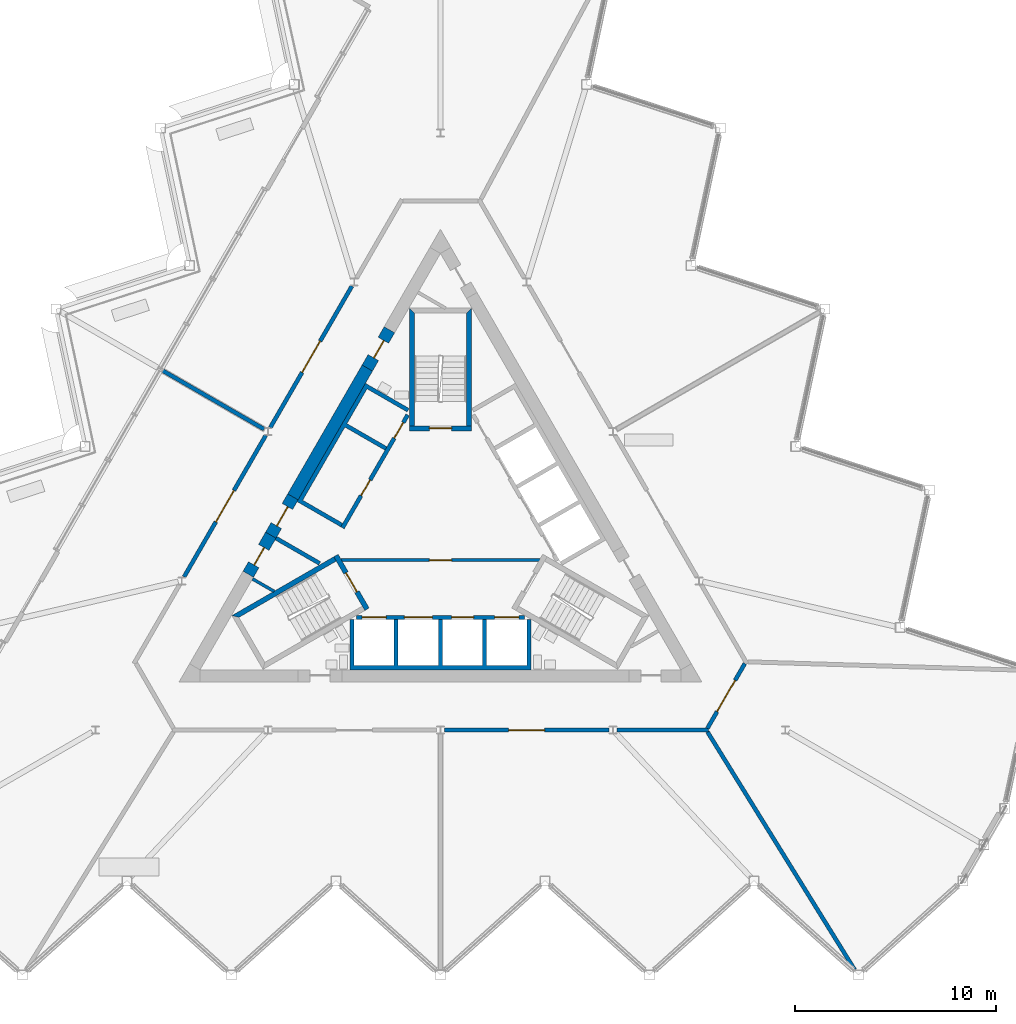
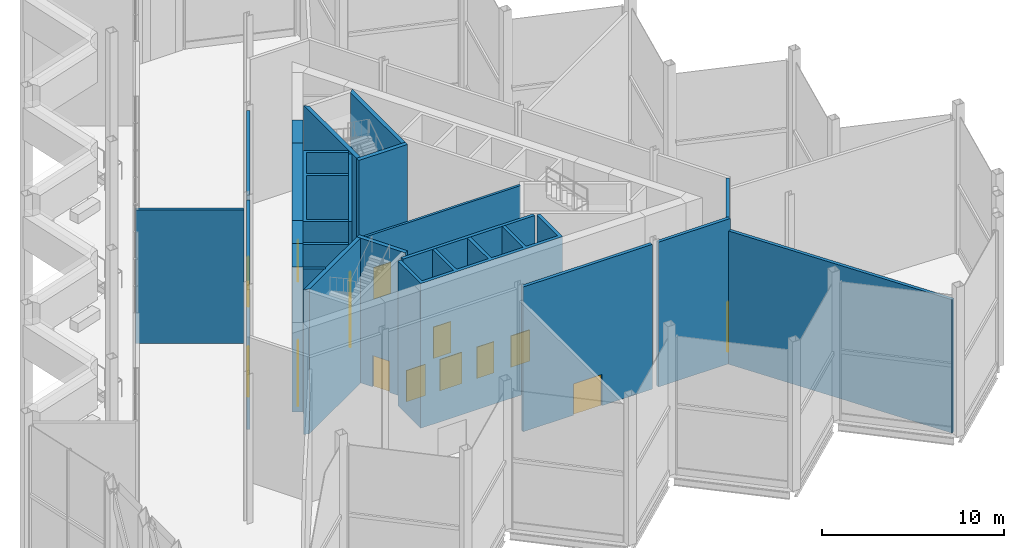
# One storey, part 9 of 18: 23 walls, 16 doors, 16 openings.
"""IFC4 building model written with IfcOpenShell, lengths in metres."""

from ifc_helpers import new_model, si_unit, direction, frame, frame_2d, origin, place, context, subcontext, project, spatial, polyline, rectangle, outline, extrude, material, layer, layer_set, type_object, element, fill, save


model = new_model("IFC4")

# Units and contexts
model_context = context("Model", 3, precision=1e-05, world=origin(), true_north=direction((0.0, 1.0)))
body_context = subcontext(model_context, "Body", "Model", "MODEL_VIEW")
ifc_project = project(units=[si_unit("LENGTHUNIT", "METRE"), si_unit("AREAUNIT", "SQUARE_METRE"), si_unit("VOLUMEUNIT", "CUBIC_METRE"), si_unit("PLANEANGLEUNIT", "RADIAN"), si_unit("MASSUNIT", "GRAM", prefix="KILO")], contexts=[model_context])

# Site, building, storey
site_placement = place(None, origin())
site = spatial("IfcSite", under=ifc_project, at=site_placement, CompositionType="ELEMENT")
building_placement = place(site_placement, origin())
building = spatial("IfcBuilding", under=site, at=building_placement, Name="Cormorant Prow Tower", CompositionType="ELEMENT")
storey_placement = place(building_placement, frame((0.0, 0.0, 405.199951171875)))
storey = spatial("IfcBuildingStorey", under=building, at=storey_placement, Name="L93", CompositionType="ELEMENT", Elevation=405.199951171875)

# Wall, opening, door
ifc_material_1 = material(Name="Gypsum board partition")
ifc_layer_1 = layer(ifc_material_1, 0.14990234375)
ifc_layer_set_1 = layer_set([ifc_layer_1], Name="Gypsum board partition")
wall_type_1 = type_object("IfcWallType", Name="Core partition 150", PredefinedType="PARTITIONING", material=ifc_layer_set_1)
wall_1_placement = place(storey_placement, frame((-4.941162109375, -1.449951171875, 0.0), z_axis=(0.0, 0.0, 1.0), x_axis=(1.0, 0.0, 0.0)))
wall_1 = element("IfcWall", 1, at=wall_1_placement, inside=storey, type_object=wall_type_1, Name="Firefighting lobby partition", PredefinedType="PARTITIONING", context=body_context, shape_type="SweptSolid", body=[
    extrude(rectangle(XDim=9.88232421875, YDim=0.14990234375, at=frame_2d((4.941162109375, 0.0))), origin(), (0.0, 0.0, 1.0), 9.699951171875),
])
opening_1_placement = place(wall_1_placement, frame((4.39111328125, 0.0, 0.0)))
opening_1 = element("IfcOpeningElement", 2, at=opening_1_placement, cuts=wall_1, Name="Opening L93-C11", PredefinedType="OPENING", context=body_context, shape_type="SweptSolid", body=[
    extrude(rectangle(XDim=1.10009765625, YDim=2.10009765625, at=frame_2d((0.550048828125, 1.050048828125))), frame((0.0, 0.0849609375, 0.0), z_axis=(0.0, -1.0, 0.0), x_axis=(1.0, 0.0, 0.0)), (0.0, 0.0, 1.0), 0.169921875),
])
ifc_material_2 = material(Name="Painted steel", Category="steel")
door_type_1 = type_object("IfcDoorType", Name="Firefighting lobby door 1100x2100", OperationType="NOTDEFINED", PredefinedType="DOOR", material=ifc_material_2)
door_1_placement = place(opening_1_placement, origin())
door_1 = element("IfcDoor", 3, at=door_1_placement, inside=storey, type_object=door_type_1, Name="Firefighting lobby door", OperationType="SINGLE_SWING_RIGHT", OverallHeight=2.10009765625, OverallWidth=1.10009765625, PredefinedType="DOOR", context=body_context, shape_type="SweptSolid", body=[
    extrude(rectangle(XDim=1.10009765625, YDim=2.10009765625, at=frame_2d((0.550048828125, 1.050048828125))), frame((0.0, 0.02490234375, 0.0), z_axis=(0.0, -1.0, 0.0), x_axis=(1.0, 0.0, 0.0)), (0.0, 0.0, 1.0), 0.050048828125),
])
fill(opening_1, door_1)

# Walls
wall_2_placement = place(storey_placement, frame((-9.349609375, -2.3828125, 0.0), z_axis=(0.0, 0.0, 1.0), x_axis=(0.866057962423, -0.499943602543, 0.0)))
element("IfcWall", 4, at=wall_2_placement, inside=storey, type_object=wall_type_1, Name="Service room partition", PredefinedType="PARTITIONING", context=body_context, shape_type="SweptSolid", body=[
    extrude(rectangle(XDim=1.242431640625, YDim=0.14990234375, at=frame_2d((0.62109375, 0.0))), origin(), (0.0, 0.0, 1.0), 9.699951171875),
])
ifc_material_3 = material(Name="Concrete 8000 psi", Category="concrete")
ifc_layer_2 = layer(ifc_material_3, 0.60009765625)
ifc_layer_set_2 = layer_set([ifc_layer_2], Name="Concrete 8000 psi")
wall_type_2 = type_object("IfcWallType", Name="Core shear wall 600", PredefinedType="SHEAR", material=ifc_layer_set_2)
wall_3_placement = place(storey_placement, frame((-3.639404296875, 8.107421875, 0.0), z_axis=(0.0, 0.0, 1.0), x_axis=(-0.49999180351, -0.866030135978, 0.0)))
element("IfcWall", 5, at=wall_3_placement, inside=storey, type_object=wall_type_2, Name="Core wall", PredefinedType="SHEAR", context=body_context, shape_type="SweptSolid", body=[
    extrude(rectangle(XDim=7.4013671875, YDim=0.60009765625, at=frame_2d((3.70068359375, 0.0))), origin(), (0.0, 0.0, 1.0), 9.699951171875),
])

# Wall, opening, door
wall_4_placement = place(storey_placement, frame((-8.440185546875, -0.207763671875, 0.0), z_axis=(0.0, 0.0, 1.0), x_axis=(-0.500001951578, -0.866024277037, 0.0)))
wall_4 = element("IfcWall", 6, at=wall_4_placement, inside=storey, type_object=wall_type_2, Name="Core wall door panel", PredefinedType="SHEAR", context=body_context, shape_type="SweptSolid", body=[
    extrude(rectangle(XDim=2.2431640625, YDim=0.60009765625, at=frame_2d((1.12158203125, 0.0))), origin(), (0.0, 0.0, 1.0), 9.699951171875),
])
opening_2_placement = place(wall_4_placement, frame((0.699951171875, 0.0, 0.0)))
opening_2 = element("IfcOpeningElement", 7, at=opening_2_placement, cuts=wall_4, Name="Opening L93-C18", PredefinedType="OPENING", context=body_context, shape_type="SweptSolid", body=[
    extrude(rectangle(XDim=1.0, YDim=2.10009765625, at=frame_2d((0.5, 1.050048828125))), frame((0.0, 0.31005859375, 0.0), z_axis=(0.0, -1.0, 0.0), x_axis=(1.0, 0.0, 0.0)), (0.0, 0.0, 1.0), 0.6201171875),
])
ifc_material_4 = material(Name="Painted steel", Category="steel")
door_type_2 = type_object("IfcDoorType", Name="Service door 1000x2100", OperationType="NOTDEFINED", PredefinedType="DOOR", material=ifc_material_4)
door_2_placement = place(opening_2_placement, origin())
door_2 = element("IfcDoor", 8, at=door_2_placement, inside=storey, type_object=door_type_2, Name="Core door, Mechanical riser room", OperationType="SINGLE_SWING_RIGHT", OverallHeight=2.10009765625, OverallWidth=1.0, PredefinedType="DOOR", context=body_context, shape_type="SweptSolid", body=[
    extrude(rectangle(XDim=1.0, YDim=2.10009765625, at=frame_2d((0.5, 1.050048828125))), frame((0.0, 0.05517578125, 0.0), z_axis=(0.0, -1.0, 0.0), x_axis=(1.0, 0.0, 0.0)), (0.0, 0.0, 1.0), 0.050048828125),
])
fill(opening_2, door_2)

wall_5_placement = place(storey_placement, frame((-2.539306640625, 10.0126953125, 0.0), z_axis=(0.0, 0.0, 1.0), x_axis=(-0.50002983664, -0.866008176907, 0.0)))
wall_5 = element("IfcWall", 9, at=wall_5_placement, inside=storey, type_object=wall_type_2, Name="Core wall door panel", PredefinedType="SHEAR", context=body_context, shape_type="SweptSolid", body=[
    extrude(rectangle(XDim=2.199951171875, YDim=0.60009765625, at=frame_2d((1.10009765625, 0.0))), origin(), (0.0, 0.0, 1.0), 9.699951171875),
])
opening_3_placement = place(wall_5_placement, frame((0.60009765625, 0.0, 0.0)))
opening_3 = element("IfcOpeningElement", 10, at=opening_3_placement, cuts=wall_5, Name="Opening L93-C19", PredefinedType="OPENING", context=body_context, shape_type="SweptSolid", body=[
    extrude(rectangle(XDim=1.0, YDim=2.10009765625, at=frame_2d((0.5, 1.050048828125))), frame((0.0, 0.31005859375, 0.0), z_axis=(0.0, -1.0, 0.0), x_axis=(1.0, 0.0, 0.0)), (0.0, 0.0, 1.0), 0.6201171875),
])
door_3_placement = place(opening_3_placement, origin())
door_3 = element("IfcDoor", 11, at=door_3_placement, inside=storey, type_object=door_type_2, Name="Core door, Accessible WC L93", OperationType="SINGLE_SWING_LEFT", OverallHeight=2.10009765625, OverallWidth=1.0, PredefinedType="DOOR", context=body_context, shape_type="SweptSolid", body=[
    extrude(rectangle(XDim=1.0, YDim=2.10009765625, at=frame_2d((0.5, 1.050048828125))), frame((0.0, 0.05517578125, 0.0), z_axis=(0.0, -1.0, 0.0), x_axis=(1.0, 0.0, 0.0)), (0.0, 0.0, 1.0), 0.050048828125),
])
fill(opening_3, door_3)

wall_6_placement = place(storey_placement, frame((-7.340087890625, 1.697509765625, 0.0), z_axis=(0.0, 0.0, 1.0), x_axis=(-0.50002983664, -0.866008176907, 0.0)))
wall_6 = element("IfcWall", 12, at=wall_6_placement, inside=storey, type_object=wall_type_2, Name="Core wall door panel", PredefinedType="SHEAR", context=body_context, shape_type="SweptSolid", body=[
    extrude(rectangle(XDim=2.199951171875, YDim=0.60009765625, at=frame_2d((1.10009765625, 0.0))), origin(), (0.0, 0.0, 1.0), 9.699951171875),
])
opening_4_placement = place(wall_6_placement, frame((0.550048828125, 0.0, 0.0)))
opening_4 = element("IfcOpeningElement", 13, at=opening_4_placement, cuts=wall_6, Name="Opening L93-C21", PredefinedType="OPENING", context=body_context, shape_type="SweptSolid", body=[
    extrude(rectangle(XDim=1.10009765625, YDim=2.10009765625, at=frame_2d((0.550048828125, 1.050048828125))), frame((0.0, 0.31005859375, 0.0), z_axis=(0.0, -1.0, 0.0), x_axis=(1.0, 0.0, 0.0)), (0.0, 0.0, 1.0), 0.6201171875),
])
ifc_material_5 = material(Name="Painted steel", Category="steel")
door_type_3 = type_object("IfcDoorType", Name="Core door 1100x2100", OperationType="NOTDEFINED", PredefinedType="DOOR", material=ifc_material_5)
door_4_placement = place(opening_4_placement, origin())
door_4 = element("IfcDoor", 14, at=door_4_placement, inside=storey, type_object=door_type_3, Name="Core door, lift lobby", OperationType="SINGLE_SWING_RIGHT", OverallHeight=2.10009765625, OverallWidth=1.10009765625, PredefinedType="DOOR", context=body_context, shape_type="SweptSolid", body=[
    extrude(rectangle(XDim=1.10009765625, YDim=2.10009765625, at=frame_2d((0.550048828125, 1.050048828125))), frame((0.0, 0.05517578125, 0.0), z_axis=(0.0, -1.0, 0.0), x_axis=(1.0, 0.0, 0.0)), (0.0, 0.0, 1.0), 0.050048828125),
])
fill(opening_4, door_4)

ifc_material_6 = material(Name="Gypsum board corridor wall")
ifc_layer_3 = layer(ifc_material_6, 0.199951171875)
ifc_layer_set_3 = layer_set([ifc_layer_3], Name="Gypsum board corridor wall")
wall_type_3 = type_object("IfcWallType", Name="Corridor wall 200", PredefinedType="PARTITIONING", material=ifc_layer_set_3)
wall_7_placement = place(storey_placement, frame((0.197021484375, -9.905517578125, 0.0), z_axis=(0.0, 0.0, 1.0), x_axis=(1.0, 0.0, 0.0)))
wall_7 = element("IfcWall", 15, at=wall_7_placement, inside=storey, type_object=wall_type_3, Name="Corridor wall", PredefinedType="PARTITIONING", context=body_context, shape_type="SweptSolid", body=[
    extrude(rectangle(XDim=8.1845703125, YDim=0.199951171875, at=frame_2d((4.09228515625, 0.0))), origin(), (0.0, 0.0, 1.0), 9.699951171875),
])
opening_5_placement = place(wall_7_placement, frame((3.192138671875, 0.0, 0.0)))
opening_5 = element("IfcOpeningElement", 16, at=opening_5_placement, cuts=wall_7, Name="Opening L93-F02", PredefinedType="OPENING", context=body_context, shape_type="SweptSolid", body=[
    extrude(rectangle(XDim=1.800048828125, YDim=2.10009765625, at=frame_2d((0.89990234375, 1.050048828125))), frame((0.0, 0.10986328125, 0.0), z_axis=(0.0, -1.0, 0.0), x_axis=(1.0, 0.0, 0.0)), (0.0, 0.0, 1.0), 0.219970703125),
])
ifc_material_7 = material(Name="Timber door leaf", Category="wood")
door_type_4 = type_object("IfcDoorType", Name="Double door 1800x2100", OperationType="DOUBLE_DOOR_SINGLE_SWING", PredefinedType="DOOR", material=ifc_material_7)
door_5_placement = place(opening_5_placement, origin())
door_5 = element("IfcDoor", 17, at=door_5_placement, inside=storey, type_object=door_type_4, Name="Observation restaurant door", OperationType="DOUBLE_DOOR_SINGLE_SWING", OverallHeight=2.10009765625, OverallWidth=1.800048828125, PredefinedType="DOOR", context=body_context, shape_type="SweptSolid", body=[
    extrude(rectangle(XDim=1.800048828125, YDim=2.10009765625, at=frame_2d((0.89990234375, 1.050048828125))), frame((0.0, 0.02490234375, 0.0), z_axis=(0.0, -1.0, 0.0), x_axis=(1.0, 0.0, 0.0)), (0.0, 0.0, 1.0), 0.050048828125),
])
fill(opening_5, door_5)

wall_8_placement = place(storey_placement, frame((-8.464599609375, 5.14990234375, 0.0), z_axis=(0.0, 0.0, 1.0), x_axis=(0.499992155518, 0.866029932751, 0.0)))
wall_8 = element("IfcWall", 18, at=wall_8_placement, inside=storey, type_object=wall_type_3, Name="Corridor wall", PredefinedType="PARTITIONING", context=body_context, shape_type="SweptSolid", body=[
    extrude(rectangle(XDim=8.123291015625, YDim=0.199951171875, at=frame_2d((4.0615234375, 0.0))), origin(), (0.0, 0.0, 1.0), 9.699951171875),
])
opening_6_placement = place(wall_8_placement, frame((3.161865234375, 0.0, 0.0)))
opening_6 = element("IfcOpeningElement", 19, at=opening_6_placement, cuts=wall_8, Name="Opening L93-F06", PredefinedType="OPENING", context=body_context, shape_type="SweptSolid", body=[
    extrude(rectangle(XDim=1.800048828125, YDim=2.10009765625, at=frame_2d((0.89990234375, 1.050048828125))), frame((0.0, 0.10986328125, 0.0), z_axis=(0.0, -1.0, 0.0), x_axis=(1.0, 0.0, 0.0)), (0.0, 0.0, 1.0), 0.219970703125),
])
door_6_placement = place(opening_6_placement, origin())
door_6 = element("IfcDoor", 20, at=door_6_placement, inside=storey, type_object=door_type_4, Name="Business centre door", OperationType="DOUBLE_DOOR_SINGLE_SWING", OverallHeight=2.10009765625, OverallWidth=1.800048828125, PredefinedType="DOOR", context=body_context, shape_type="SweptSolid", body=[
    extrude(rectangle(XDim=1.800048828125, YDim=2.10009765625, at=frame_2d((0.89990234375, 1.050048828125))), frame((0.0, 0.02490234375, 0.0), z_axis=(0.0, -1.0, 0.0), x_axis=(1.0, 0.0, 0.0)), (0.0, 0.0, 1.0), 0.050048828125),
])
fill(opening_6, door_6)

wall_9_placement = place(storey_placement, frame((-12.75390625, -2.279296875, 0.0), z_axis=(0.0, 0.0, 1.0), x_axis=(0.500001682468, 0.866024432409, 0.0)))
wall_9 = element("IfcWall", 21, at=wall_9_placement, inside=storey, type_object=wall_type_3, Name="Corridor wall", PredefinedType="PARTITIONING", context=body_context, shape_type="SweptSolid", body=[
    extrude(rectangle(XDim=8.12353515625, YDim=0.199951171875, at=frame_2d((4.061767578125, 0.0))), origin(), (0.0, 0.0, 1.0), 9.699951171875),
])
opening_7_placement = place(wall_9_placement, frame((3.161865234375, 0.0, 0.0)))
opening_7 = element("IfcOpeningElement", 22, at=opening_7_placement, cuts=wall_9, Name="Opening L93-F07", PredefinedType="OPENING", context=body_context, shape_type="SweptSolid", body=[
    extrude(rectangle(XDim=1.800048828125, YDim=2.10009765625, at=frame_2d((0.89990234375, 1.050048828125))), frame((0.0, 0.10986328125, 0.0), z_axis=(0.0, -1.0, 0.0), x_axis=(1.0, 0.0, 0.0)), (0.0, 0.0, 1.0), 0.219970703125),
])
door_7_placement = place(opening_7_placement, origin())
door_7 = element("IfcDoor", 23, at=door_7_placement, inside=storey, type_object=door_type_4, Name="Residents services centre door", OperationType="DOUBLE_DOOR_SINGLE_SWING", OverallHeight=2.10009765625, OverallWidth=1.800048828125, PredefinedType="DOOR", context=body_context, shape_type="SweptSolid", body=[
    extrude(rectangle(XDim=1.800048828125, YDim=2.10009765625, at=frame_2d((0.89990234375, 1.050048828125))), frame((0.0, 0.02490234375, 0.0), z_axis=(0.0, -1.0, 0.0), x_axis=(1.0, 0.0, 0.0)), (0.0, 0.0, 1.0), 0.050048828125),
])
fill(opening_7, door_7)

# Wall
wall_10_placement = place(storey_placement, frame((8.775390625, -9.905517578125, 0.0), z_axis=(0.0, 0.0, 1.0), x_axis=(1.0, 0.0, 0.0)))
element("IfcWall", 24, at=wall_10_placement, inside=storey, type_object=wall_type_3, Name="Corridor wall", PredefinedType="PARTITIONING", context=body_context, shape_type="SweptSolid", body=[
    extrude(rectangle(XDim=4.555419921875, YDim=0.199951171875, at=frame_2d((2.27783203125, 0.0))), origin(), (0.0, 0.0, 1.0), 9.699951171875),
])

# Wall, opening, door
wall_11_placement = place(storey_placement, frame((13.281005859375, -9.819091796875, 0.0), z_axis=(0.0, 0.0, 1.0), x_axis=(0.499958791762, 0.866049194065, 0.0)))
wall_11 = element("IfcWall", 25, at=wall_11_placement, inside=storey, type_object=wall_type_3, Name="Corridor wall", PredefinedType="PARTITIONING", context=body_context, shape_type="SweptSolid", body=[
    extrude(rectangle(XDim=3.725830078125, YDim=0.199951171875, at=frame_2d((1.86279296875, 0.0))), origin(), (0.0, 0.0, 1.0), 9.699951171875),
])
opening_8_placement = place(wall_11_placement, frame((0.962890625, 0.0, 0.0)))
opening_8 = element("IfcOpeningElement", 26, at=opening_8_placement, cuts=wall_11, Name="Opening L93-F03", PredefinedType="OPENING", context=body_context, shape_type="SweptSolid", body=[
    extrude(rectangle(XDim=1.800048828125, YDim=2.10009765625, at=frame_2d((0.89990234375, 1.050048828125))), frame((0.0, 0.10986328125, 0.0), z_axis=(0.0, -1.0, 0.0), x_axis=(1.0, 0.0, 0.0)), (0.0, 0.0, 1.0), 0.219970703125),
])
door_8_placement = place(opening_8_placement, origin())
door_8 = element("IfcDoor", 27, at=door_8_placement, inside=storey, type_object=door_type_4, Name="Residents services centre door", OperationType="DOUBLE_DOOR_SINGLE_SWING", OverallHeight=2.10009765625, OverallWidth=1.800048828125, PredefinedType="DOOR", context=body_context, shape_type="SweptSolid", body=[
    extrude(rectangle(XDim=1.800048828125, YDim=2.10009765625, at=frame_2d((0.89990234375, 1.050048828125))), frame((0.0, 0.02490234375, 0.0), z_axis=(0.0, -1.0, 0.0), x_axis=(1.0, 0.0, 0.0)), (0.0, 0.0, 1.0), 0.050048828125),
])
fill(opening_8, door_8)

# Walls
ifc_material_8 = material(Name="Gypsum board demising wall")
ifc_layer_4 = layer(ifc_material_8, 0.199951171875)
ifc_layer_set_4 = layer_set([ifc_layer_4], Name="Gypsum board demising wall")
wall_type_4 = type_object("IfcWallType", Name="Demising wall 200", PredefinedType="PARTITIONING", material=ifc_layer_set_4)
wall_12_placement = place(storey_placement, frame((13.283447265625, -9.990478515625, 0.0), z_axis=(0.0, 0.0, 1.0), x_axis=(0.526187960676, -0.850368290825, 0.0)))
element("IfcWall", 28, at=wall_12_placement, inside=storey, type_object=wall_type_4, Name="Demising wall", PredefinedType="PARTITIONING", context=body_context, shape_type="SweptSolid", body=[
    extrude(rectangle(XDim=13.92041015625, YDim=0.199951171875, at=frame_2d((6.960205078125, 0.0))), origin(), (0.0, 0.0, 1.0), 8.93017578125),
])
wall_13_placement = place(storey_placement, frame((-13.9326171875, 8.0439453125, 0.0), z_axis=(0.0, 0.0, 1.0), x_axis=(0.866024464444, -0.500001626982, 0.0)))
element("IfcWall", 29, at=wall_13_placement, inside=storey, type_object=wall_type_4, Name="Demising wall", PredefinedType="PARTITIONING", context=body_context, shape_type="SweptSolid", body=[
    extrude(rectangle(XDim=5.955078125, YDim=0.199951171875, at=frame_2d((2.9775390625, 0.0))), origin(), (0.0, 0.0, 1.0), 8.93017578125),
])

# Wall, openings, doors
ifc_material_9 = material(Name="Concrete 5000 psi", Category="concrete")
ifc_layer_5 = layer(ifc_material_9, 0.199951171875)
ifc_layer_set_5 = layer_set([ifc_layer_5], Name="Concrete 5000 psi")
wall_type_5 = type_object("IfcWallType", Name="Lift lobby wall 200", PredefinedType="SOLIDWALL", material=ifc_layer_set_5)
wall_14_placement = place(storey_placement, frame((-4.1865234375, -4.300048828125, 0.0), z_axis=(0.0, 0.0, 1.0), x_axis=(1.0, 0.0, 0.0)))
wall_14 = element("IfcWall", 30, at=wall_14_placement, inside=storey, type_object=wall_type_5, Name="Lift lobby wall, S block", PredefinedType="SOLIDWALL", context=body_context, shape_type="SweptSolid", body=[
    extrude(rectangle(XDim=8.373046875, YDim=0.199951171875, at=frame_2d((4.1865234375, 0.0))), origin(), (0.0, 0.0, 1.0), 9.699951171875),
])
opening_9_placement = place(wall_14_placement, frame((0.28662109375, 0.0, 0.0)))
opening_9 = element("IfcOpeningElement", 31, at=opening_9_placement, cuts=wall_14, Name="Opening L93-C01", PredefinedType="OPENING", context=body_context, shape_type="SweptSolid", body=[
    extrude(rectangle(XDim=1.199951171875, YDim=2.10009765625, at=frame_2d((0.60009765625, 1.050048828125))), frame((0.0, 0.10986328125, 0.0), z_axis=(0.0, -1.0, 0.0), x_axis=(1.0, 0.0, 0.0)), (0.0, 0.0, 1.0), 0.219970703125),
])
opening_10_placement = place(wall_14_placement, frame((2.38671875, 0.0, 0.0)))
opening_10 = element("IfcOpeningElement", 32, at=opening_10_placement, cuts=wall_14, Name="Opening L93-C02", PredefinedType="OPENING", context=body_context, shape_type="SweptSolid", body=[
    extrude(rectangle(XDim=1.39990234375, YDim=2.10009765625, at=frame_2d((0.699951171875, 1.050048828125))), frame((0.0, 0.10986328125, 0.0), z_axis=(0.0, -1.0, 0.0), x_axis=(1.0, 0.0, 0.0)), (0.0, 0.0, 1.0), 0.219970703125),
])
opening_11_placement = place(wall_14_placement, frame((4.736572265625, 0.0, 0.0)))
opening_11 = element("IfcOpeningElement", 33, at=opening_11_placement, cuts=wall_14, Name="Opening L93-C03", PredefinedType="OPENING", context=body_context, shape_type="SweptSolid", body=[
    extrude(rectangle(XDim=1.10009765625, YDim=2.10009765625, at=frame_2d((0.550048828125, 1.050048828125))), frame((0.0, 0.10986328125, 0.0), z_axis=(0.0, -1.0, 0.0), x_axis=(1.0, 0.0, 0.0)), (0.0, 0.0, 1.0), 0.219970703125),
])
opening_12_placement = place(wall_14_placement, frame((6.88671875, 0.0, 0.0)))
opening_12 = element("IfcOpeningElement", 34, at=opening_12_placement, cuts=wall_14, Name="Opening L93-C04", PredefinedType="OPENING", context=body_context, shape_type="SweptSolid", body=[
    extrude(rectangle(XDim=1.199951171875, YDim=2.10009765625, at=frame_2d((0.60009765625, 1.050048828125))), frame((0.0, 0.10986328125, 0.0), z_axis=(0.0, -1.0, 0.0), x_axis=(1.0, 0.0, 0.0)), (0.0, 0.0, 1.0), 0.219970703125),
])
ifc_material_10 = material(Name="Painted steel", Category="steel")
door_type_5 = type_object("IfcDoorType", Name="Firefighting lift landing door 1200x2100", OperationType="SLIDING_TO_LEFT", PredefinedType="DOOR", material=ifc_material_10)
door_9_placement = place(opening_9_placement, origin())
door_9 = element("IfcDoor", 35, at=door_9_placement, inside=storey, type_object=door_type_5, Name="Landing door FL1", OperationType="SLIDING_TO_LEFT", OverallHeight=2.10009765625, OverallWidth=1.199951171875, PredefinedType="DOOR", context=body_context, shape_type="SweptSolid", body=[
    extrude(rectangle(XDim=1.199951171875, YDim=2.10009765625, at=frame_2d((0.60009765625, 1.050048828125))), frame((0.0, 0.02490234375, 0.0), z_axis=(0.0, -1.0, 0.0), x_axis=(1.0, 0.0, 0.0)), (0.0, 0.0, 1.0), 0.050048828125),
])
fill(opening_9, door_9)
door_10_placement = place(opening_12_placement, origin())
door_10 = element("IfcDoor", 36, at=door_10_placement, inside=storey, type_object=door_type_5, Name="Landing door FL2", OperationType="SLIDING_TO_LEFT", OverallHeight=2.10009765625, OverallWidth=1.199951171875, PredefinedType="DOOR", context=body_context, shape_type="SweptSolid", body=[
    extrude(rectangle(XDim=1.199951171875, YDim=2.10009765625, at=frame_2d((0.60009765625, 1.050048828125))), frame((0.0, 0.02490234375, 0.0), z_axis=(0.0, -1.0, 0.0), x_axis=(1.0, 0.0, 0.0)), (0.0, 0.0, 1.0), 0.050048828125),
])
fill(opening_12, door_10)
ifc_material_11 = material(Name="Painted steel", Category="steel")
door_type_6 = type_object("IfcDoorType", Name="Lift landing door 1100x2100", OperationType="SLIDING_TO_LEFT", PredefinedType="DOOR", material=ifc_material_11)
door_11_placement = place(opening_11_placement, origin())
door_11 = element("IfcDoor", 37, at=door_11_placement, inside=storey, type_object=door_type_6, Name="Landing door HR1", OperationType="SLIDING_TO_LEFT", OverallHeight=2.10009765625, OverallWidth=1.10009765625, PredefinedType="DOOR", context=body_context, shape_type="SweptSolid", body=[
    extrude(rectangle(XDim=1.10009765625, YDim=2.10009765625, at=frame_2d((0.550048828125, 1.050048828125))), frame((0.0, 0.02490234375, 0.0), z_axis=(0.0, -1.0, 0.0), x_axis=(1.0, 0.0, 0.0)), (0.0, 0.0, 1.0), 0.050048828125),
])
fill(opening_11, door_11)
ifc_material_12 = material(Name="Painted steel", Category="steel")
door_type_7 = type_object("IfcDoorType", Name="Service lift landing door 1400x2100", OperationType="SLIDING_TO_LEFT", PredefinedType="DOOR", material=ifc_material_12)
door_12_placement = place(opening_10_placement, origin())
door_12 = element("IfcDoor", 38, at=door_12_placement, inside=storey, type_object=door_type_7, Name="Landing door SL1", OperationType="SLIDING_TO_LEFT", OverallHeight=2.10009765625, OverallWidth=1.39990234375, PredefinedType="DOOR", context=body_context, shape_type="SweptSolid", body=[
    extrude(rectangle(XDim=1.39990234375, YDim=2.10009765625, at=frame_2d((0.699951171875, 1.050048828125))), frame((0.0, 0.02490234375, 0.0), z_axis=(0.0, -1.0, 0.0), x_axis=(1.0, 0.0, 0.0)), (0.0, 0.0, 1.0), 0.050048828125),
])
fill(opening_10, door_12)

wall_15_placement = place(storey_placement, frame((-1.630615234375, 5.775634765625, 0.0), z_axis=(0.0, 0.0, 1.0), x_axis=(-0.499992876559, -0.866029516466, 0.0)))
wall_15 = element("IfcWall", 39, at=wall_15_placement, inside=storey, type_object=wall_type_5, Name="Lift lobby wall, WNW block", PredefinedType="SOLIDWALL", context=body_context, shape_type="SweptSolid", body=[
    extrude(rectangle(XDim=6.486328125, YDim=0.199951171875, at=frame_2d((3.2431640625, 0.0))), origin(), (0.0, 0.0, 1.0), 9.699951171875),
])
opening_13_placement = place(wall_15_placement, frame((0.4365234375, 0.0, 0.0)))
opening_13 = element("IfcOpeningElement", 40, at=opening_13_placement, cuts=wall_15, Name="Opening L93-C09", PredefinedType="OPENING", context=body_context, shape_type="SweptSolid", body=[
    extrude(rectangle(XDim=0.89990234375, YDim=2.10009765625, at=frame_2d((0.449951171875, 1.050048828125))), frame((0.0, 0.10986328125, 0.0), z_axis=(0.0, -1.0, 0.0), x_axis=(1.0, 0.0, 0.0)), (0.0, 0.0, 1.0), 0.219970703125),
])
opening_14_placement = place(wall_15_placement, frame((3.736572265625, 0.0, 0.0)))
opening_14 = element("IfcOpeningElement", 41, at=opening_14_placement, cuts=wall_15, Name="Opening L93-C10", PredefinedType="OPENING", context=body_context, shape_type="SweptSolid", body=[
    extrude(rectangle(XDim=0.89990234375, YDim=2.10009765625, at=frame_2d((0.449951171875, 1.050048828125))), frame((0.0, 0.10986328125, 0.0), z_axis=(0.0, -1.0, 0.0), x_axis=(1.0, 0.0, 0.0)), (0.0, 0.0, 1.0), 0.219970703125),
])
ifc_material_13 = material(Name="Painted steel", Category="steel")
door_type_8 = type_object("IfcDoorType", Name="Service door 900x2100", OperationType="NOTDEFINED", PredefinedType="DOOR", material=ifc_material_13)
door_13_placement = place(opening_13_placement, origin())
door_13 = element("IfcDoor", 42, at=door_13_placement, inside=storey, type_object=door_type_8, Name="Service door, Electrical room", OperationType="SINGLE_SWING_LEFT", OverallHeight=2.10009765625, OverallWidth=0.89990234375, PredefinedType="DOOR", context=body_context, shape_type="SweptSolid", body=[
    extrude(rectangle(XDim=0.89990234375, YDim=2.10009765625, at=frame_2d((0.449951171875, 1.050048828125))), frame((0.0, 0.02490234375, 0.0), z_axis=(0.0, -1.0, 0.0), x_axis=(1.0, 0.0, 0.0)), (0.0, 0.0, 1.0), 0.050048828125),
])
fill(opening_13, door_13)
door_14_placement = place(opening_14_placement, origin())
door_14 = element("IfcDoor", 43, at=door_14_placement, inside=storey, type_object=door_type_8, Name="Service door, Linen store", OperationType="SINGLE_SWING_RIGHT", OverallHeight=2.10009765625, OverallWidth=0.89990234375, PredefinedType="DOOR", context=body_context, shape_type="SweptSolid", body=[
    extrude(rectangle(XDim=0.89990234375, YDim=2.10009765625, at=frame_2d((0.449951171875, 1.050048828125))), frame((0.0, 0.02490234375, 0.0), z_axis=(0.0, -1.0, 0.0), x_axis=(1.0, 0.0, 0.0)), (0.0, 0.0, 1.0), 0.050048828125),
])
fill(opening_14, door_14)

# Walls
ifc_material_14 = material(Name="Concrete 8000 psi", Category="concrete")
ifc_layer_6 = layer(ifc_material_14, 0.199951171875)
ifc_layer_set_6 = layer_set([ifc_layer_6], Name="Concrete 8000 psi")
wall_type_6 = type_object("IfcWallType", Name="Lift shaft wall 200", PredefinedType="SHEAR", material=ifc_layer_set_6)
wall_16_placement = place(storey_placement, origin())
element("IfcWall", 44, at=wall_16_placement, inside=storey, type_object=wall_type_6, Name="Lift shaft walls, S block", PredefinedType="SHEAR", context=body_context, shape_type="SweptSolid", body=[
    extrude(outline(polyline([(4.5, -4.39990234375), (4.5, -6.906005859375), (-4.5, -6.906005859375), (-4.5, -4.39990234375), (-4.300048828125, -4.39990234375), (-4.300048828125, -6.699951171875), (-2.300048828125, -6.699951171875), (-2.300048828125, -4.39990234375), (-2.10009765625, -4.39990234375), (-2.10009765625, -6.699951171875), (-0.10009765625, -6.699951171875), (-0.10009765625, -4.39990234375), (0.10009765625, -4.39990234375), (0.10009765625, -6.699951171875), (2.10009765625, -6.699951171875), (2.10009765625, -4.39990234375), (2.300048828125, -4.39990234375), (2.300048828125, -6.699951171875), (4.300048828125, -6.699951171875), (4.300048828125, -4.39990234375), (4.5, -4.39990234375)])), origin(), (0.0, 0.0, 1.0), 9.699951171875),
])
wall_17_placement = place(storey_placement, origin())
element("IfcWall", 45, at=wall_17_placement, inside=storey, type_object=wall_type_6, Name="Lift shaft walls, WNW block", PredefinedType="SHEAR", context=body_context, shape_type="SweptSolid", body=[
    extrude(outline(polyline([(-6.060546875, -1.697021484375), (-8.230712890625, -0.444091796875), (-8.130859375, -0.27099609375), (-5.96044921875, -1.52392578125), (-6.060546875, -1.697021484375)])), origin(), (0.0, 0.0, 1.0), 9.699951171875),
])
wall_18_placement = place(storey_placement, origin())
element("IfcWall", 46, at=wall_18_placement, inside=storey, type_object=wall_type_6, Name="Lift shaft walls, WNW block", PredefinedType="SHEAR", context=body_context, shape_type="SweptSolid", body=[
    extrude(outline(polyline([(-4.96044921875, 0.2080078125), (-7.130859375, 1.461181640625), (-3.730712890625, 7.35009765625), (-1.560546875, 6.09716796875), (-1.660400390625, 5.923828125), (-3.65234375, 7.073974609375), (-4.65234375, 5.341796875), (-2.660400390625, 4.19189453125), (-2.760498046875, 4.018798828125), (-4.75244140625, 5.168701171875), (-6.852294921875, 1.53125), (-4.860595703125, 0.38134765625), (-4.96044921875, 0.2080078125)])), origin(), (0.0, 0.0, 1.0), 9.699951171875),
])
ifc_material_15 = material(Name="Concrete 8000 psi", Category="concrete")
ifc_layer_7 = layer(ifc_material_15, 0.25)
ifc_layer_set_7 = layer_set([ifc_layer_7], Name="Concrete 8000 psi")
wall_type_7 = type_object("IfcWallType", Name="Stair wall 250", PredefinedType="SHEAR", material=ifc_layer_set_7)
wall_19_placement = place(storey_placement, origin())
element("IfcWall", 47, at=wall_19_placement, inside=storey, type_object=wall_type_7, Name="Stair ST1 enclosure wall (flank)", PredefinedType="SHEAR", context=body_context, shape_type="SweptSolid", body=[
    extrude(outline(polyline([(-5.30712890625, -1.28125), (-10.37353515625, -4.206298828125), (-10.031982421875, -4.2978515625), (-5.18212890625, -1.497802734375), (-5.30712890625, -1.28125)])), origin(), (0.0, 0.0, 1.0), 9.699951171875),
])

# Wall, opening, door
wall_20_placement = place(storey_placement, frame((-5.198974609375, -1.21875, 0.0), z_axis=(0.0, 0.0, 1.0), x_axis=(0.499982516597, -0.866035497597, 0.0)))
wall_20 = element("IfcWall", 48, at=wall_20_placement, inside=storey, type_object=wall_type_7, Name="Stair ST1 door wall", PredefinedType="SHEAR", context=body_context, shape_type="SweptSolid", body=[
    extrude(rectangle(XDim=3.087890625, YDim=0.25, at=frame_2d((1.5439453125, 0.0))), origin(), (0.0, 0.0, 1.0), 9.699951171875),
])
opening_15_placement = place(wall_20_placement, frame((0.993896484375, 0.0, 0.0)))
opening_15 = element("IfcOpeningElement", 49, at=opening_15_placement, cuts=wall_20, Name="Opening L93-C12", PredefinedType="OPENING", context=body_context, shape_type="SweptSolid", body=[
    extrude(rectangle(XDim=1.10009765625, YDim=2.10009765625, at=frame_2d((0.550048828125, 1.050048828125))), frame((0.0, 0.135009765625, 0.0), z_axis=(0.0, -1.0, 0.0), x_axis=(1.0, 0.0, 0.0)), (0.0, 0.0, 1.0), 0.27001953125),
])
ifc_material_16 = material(Name="Painted steel", Category="steel")
door_type_9 = type_object("IfcDoorType", Name="Stair door 1100x2100", OperationType="NOTDEFINED", PredefinedType="DOOR", material=ifc_material_16)
door_15_placement = place(opening_15_placement, origin())
door_15 = element("IfcDoor", 50, at=door_15_placement, inside=storey, type_object=door_type_9, Name="Stair ST1 door", OperationType="SINGLE_SWING_LEFT", OverallHeight=2.10009765625, OverallWidth=1.10009765625, PredefinedType="DOOR", context=body_context, shape_type="SweptSolid", body=[
    extrude(rectangle(XDim=1.10009765625, YDim=2.10009765625, at=frame_2d((0.550048828125, 1.050048828125))), frame((0.0, 0.02490234375, 0.0), z_axis=(0.0, -1.0, 0.0), x_axis=(1.0, 0.0, 0.0)), (0.0, 0.0, 1.0), 0.050048828125),
])
fill(opening_15, door_15)

# Walls
wall_21_placement = place(storey_placement, origin())
element("IfcWall", 51, at=wall_21_placement, inside=storey, type_object=wall_type_7, Name="Stair ST3 enclosure wall (flank)", PredefinedType="SHEAR", context=body_context, shape_type="SweptSolid", body=[
    extrude(outline(polyline([(1.5439453125, 5.23681640625), (1.5439453125, 11.0869140625), (1.2939453125, 10.8369140625), (1.2939453125, 5.23681640625), (1.5439453125, 5.23681640625)])), origin(), (0.0, 0.0, 1.0), 9.699951171875),
])
wall_22_placement = place(storey_placement, origin())
element("IfcWall", 52, at=wall_22_placement, inside=storey, type_object=wall_type_7, Name="Stair ST3 enclosure wall (flank)", PredefinedType="SHEAR", context=body_context, shape_type="SweptSolid", body=[
    extrude(outline(polyline([(-1.2939453125, 10.8369140625), (-1.5439453125, 11.0869140625), (-1.5439453125, 5.23681640625), (-1.2939453125, 5.23681640625), (-1.2939453125, 10.8369140625)])), origin(), (0.0, 0.0, 1.0), 9.699951171875),
])

# Wall, opening, door
wall_23_placement = place(storey_placement, frame((1.5439453125, 5.11181640625, 0.0), z_axis=(0.0, 0.0, 1.0), x_axis=(-1.0, 0.0, 0.0)))
wall_23 = element("IfcWall", 53, at=wall_23_placement, inside=storey, type_object=wall_type_7, Name="Stair ST3 door wall", PredefinedType="SHEAR", context=body_context, shape_type="SweptSolid", body=[
    extrude(rectangle(XDim=3.087890625, YDim=0.25, at=frame_2d((1.5439453125, 0.0))), origin(), (0.0, 0.0, 1.0), 9.699951171875),
])
opening_16_placement = place(wall_23_placement, frame((0.993896484375, 0.0, 0.0)))
opening_16 = element("IfcOpeningElement", 54, at=opening_16_placement, cuts=wall_23, Name="Opening L93-C14", PredefinedType="OPENING", context=body_context, shape_type="SweptSolid", body=[
    extrude(rectangle(XDim=1.10009765625, YDim=2.10009765625, at=frame_2d((0.550048828125, 1.050048828125))), frame((0.0, 0.135009765625, 0.0), z_axis=(0.0, -1.0, 0.0), x_axis=(1.0, 0.0, 0.0)), (0.0, 0.0, 1.0), 0.27001953125),
])
door_16_placement = place(opening_16_placement, origin())
door_16 = element("IfcDoor", 55, at=door_16_placement, inside=storey, type_object=door_type_9, Name="Stair ST3 door", OperationType="SINGLE_SWING_LEFT", OverallHeight=2.10009765625, OverallWidth=1.10009765625, PredefinedType="DOOR", context=body_context, shape_type="SweptSolid", body=[
    extrude(rectangle(XDim=1.10009765625, YDim=2.10009765625, at=frame_2d((0.550048828125, 1.050048828125))), frame((0.0, 0.02490234375, 0.0), z_axis=(0.0, -1.0, 0.0), x_axis=(1.0, 0.0, 0.0)), (0.0, 0.0, 1.0), 0.050048828125),
])
fill(opening_16, door_16)

save(model, "model.ifc")
